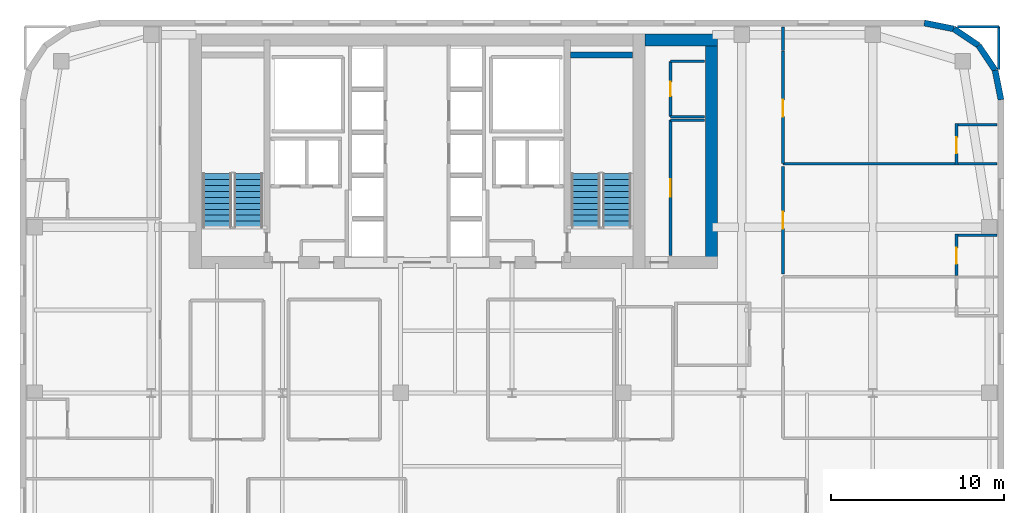
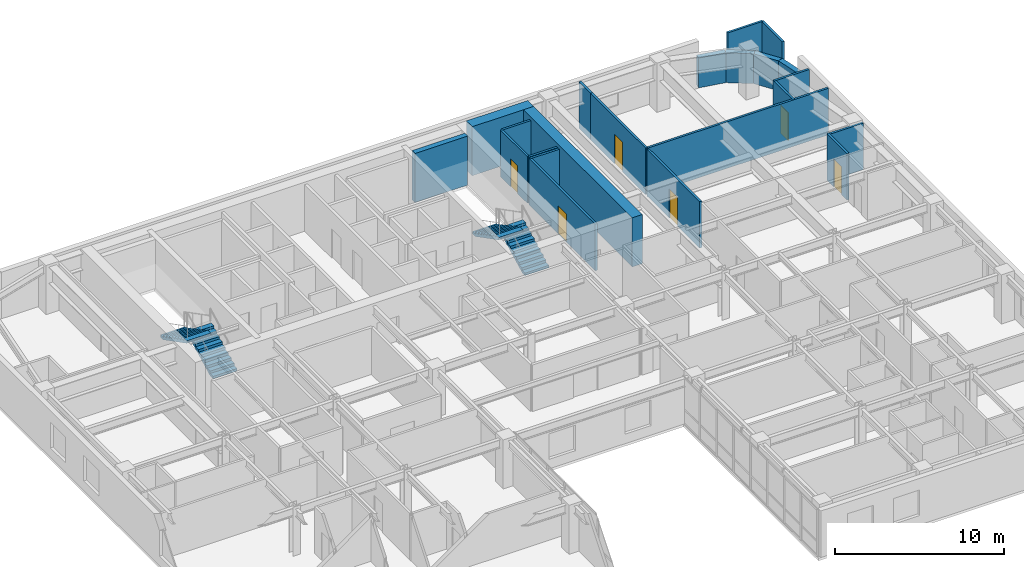
# One storey, part 15 of 16: 22 walls, 6 doors, 4 stair flights, 6 openings, 2 elements without a shape of their own.
"""IFC4 building model written with IfcOpenShell, lengths in metres."""

from ifc_helpers import new_model, si_unit, direction, frame, frame_2d, origin, place, context, subcontext, project, spatial, polyline, rectangle, outline, extrude, source, transform, mapped, material, layer, layer_set, type_object, type_shapes, element, fill, aggregate, save


model = new_model("IFC4")

# Units and contexts
model_context = context("Model", 3, precision=1e-05, world=origin(), true_north=direction((0.0, 1.0)))
body_context = subcontext(model_context, "Body", "Model", "MODEL_VIEW")
ifc_project = project(units=[si_unit("LENGTHUNIT", "METRE"), si_unit("AREAUNIT", "SQUARE_METRE"), si_unit("VOLUMEUNIT", "CUBIC_METRE"), si_unit("PLANEANGLEUNIT", "RADIAN"), si_unit("MASSUNIT", "GRAM", prefix="KILO")], contexts=[model_context])

# Site, building, storey
site_placement = place(None, origin())
site = spatial("IfcSite", under=ifc_project, at=site_placement, CompositionType="ELEMENT")
building_placement = place(site_placement, origin())
building = spatial("IfcBuilding", under=site, at=building_placement, Name="Tolvann Quenvar Hotel", CompositionType="ELEMENT")
storey_placement = place(building_placement, frame((0.0, 0.0, 115.10009765625)))
storey = spatial("IfcBuildingStorey", under=building, at=storey_placement, Name="L29", CompositionType="ELEMENT", Elevation=115.10009765625)

# Walls
ifc_material_1 = material(Name="Concrete S65 (65 MPa)", Category="concrete")
ifc_layer_1 = layer(ifc_material_1, 0.699951171875)
ifc_layer_set_1 = layer_set([ifc_layer_1], Name="Concrete S65 (65 MPa)")
wall_type_1 = type_object("IfcWallType", Name="WALL_CORE_700", PredefinedType="SHEAR", material=ifc_layer_set_1)
wall_1_placement = place(storey_placement, frame((36.199951171875, 44.85009765625, 0.0), z_axis=(0.0, 0.0, 1.0), x_axis=(1.0, 0.0, 0.0)))
element("IfcWall", 1, at=wall_1_placement, inside=storey, type_object=wall_type_1, Name="Core East Annex Shear Wall ANN-N (L29)", PredefinedType="SHEAR", context=body_context, shape_type="SweptSolid", body=[
    extrude(rectangle(XDim=4.199951171875, YDim=0.699951171875, at=frame_2d((2.10009765625, 0.0))), origin(), (0.0, 0.0, 1.0), 3.5498046875),
])
wall_2_placement = place(storey_placement, frame((40.050048828125, 31.60009765625, 0.0), z_axis=(0.0, 0.0, 1.0), x_axis=(0.0, 1.0, 0.0)))
element("IfcWall", 2, at=wall_2_placement, inside=storey, type_object=wall_type_1, Name="Core East Annex Shear Wall ANN-E (L29)", PredefinedType="SHEAR", context=body_context, shape_type="SweptSolid", body=[
    extrude(rectangle(XDim=13.599853515625, YDim=0.699951171875, at=frame_2d((6.7998046875, 0.0))), origin(), (0.0, 0.0, 1.0), 3.5498046875),
])
ifc_layer_2 = layer(ifc_material_1, 0.35009765625)
ifc_layer_set_2 = layer_set([ifc_layer_2], Name="Concrete S65 (65 MPa)")
wall_type_2 = type_object("IfcWallType", Name="WALL_CORE_INT_350", PredefinedType="SHEAR", material=ifc_layer_set_2)
wall_3_placement = place(storey_placement, frame((31.8798828125, 43.97509765625, 0.0), z_axis=(0.0, 0.0, 1.0), x_axis=(1.0, 0.0, 0.0)))
element("IfcWall", 3, at=wall_3_placement, inside=storey, type_object=wall_type_2, Name="Core Stair North Closing Shear Wall STC2-N (L29)", PredefinedType="SHEAR", context=body_context, shape_type="SweptSolid", body=[
    extrude(rectangle(XDim=3.60009765625, YDim=0.35009765625, at=frame_2d((1.800048828125, 0.0))), origin(), (0.0, 0.0, 1.0), 3.5498046875),
])
ifc_material_2 = material(Name="Kiln-fired red and buff architectural clay brickwork and terracotta masonry", Category="masonry")
ifc_layer_3 = layer(ifc_material_2, 0.35009765625)
ifc_layer_set_3 = layer_set([ifc_layer_3], Name="Kiln-fired red and buff architectural clay brickwork and terracotta masonry")
wall_type_3 = type_object("IfcWallType", Name="WALL_EXT_BRICK_350", PredefinedType="SOLIDWALL", material=ifc_layer_set_3)
wall_4_placement = place(storey_placement, frame((56.824951171875, 41.3828125, 0.0), z_axis=(0.0, 0.0, 1.0), x_axis=(-0.195011420161, 0.980800971659, 0.0)))
element("IfcWall", 4, at=wall_4_placement, inside=storey, type_object=wall_type_3, Name="Exterior Chicago Brick Wall L29-E14", PredefinedType="SOLIDWALL", context=body_context, shape_type="SweptSolid", body=[
    extrude(rectangle(XDim=1.74267578125, YDim=0.35009765625, at=frame_2d((0.871337890625, 0.0))), origin(), (0.0, 0.0, 1.0), 2.159912109375),
])
for number, where, z_axis, x_axis, name in (
    (5, (56.485107421875, 43.092041015625, 0.0), (0.0, 0.0, 1.0), (-0.55554893791, 0.831483840845, 0.0), "Exterior Chicago Brick Wall L29-E15"),
    (6, (55.526611328125, 44.526611328125, 0.0), (0.0, 0.0, 1.0), (-0.831483840845, 0.55554893791, 0.0), "Exterior Chicago Brick Wall L29-E16"),
):
    element("IfcWall", number, at=place(storey_placement, frame(where, z_axis=z_axis, x_axis=x_axis)), inside=storey, type_object=wall_type_3, Name=name, PredefinedType="SOLIDWALL", context=body_context, shape_type="SweptSolid", body=[
        extrude(rectangle(XDim=1.725341796875, YDim=0.35009765625, at=frame_2d((0.86279296875, 0.0))), origin(), (0.0, 0.0, 1.0), 2.159912109375),
    ])
wall_5_placement = place(storey_placement, frame((54.092041015625, 45.485107421875, 0.0), z_axis=(0.0, 0.0, 1.0), x_axis=(-0.980800971659, 0.195011420161, 0.0)))
element("IfcWall", 7, at=wall_5_placement, inside=storey, type_object=wall_type_3, Name="Exterior Chicago Brick Wall L29-E17", PredefinedType="SOLIDWALL", context=body_context, shape_type="SweptSolid", body=[
    extrude(rectangle(XDim=1.74267578125, YDim=0.35009765625, at=frame_2d((0.871337890625, 0.0))), origin(), (0.0, 0.0, 1.0), 2.159912109375),
])

# Wall, opening, door
ifc_material_3 = material(Name="Acoustic twin-stud fire-rated gypsum plasterboard partition")
ifc_layer_4 = layer(ifc_material_3, 0.14990234375)
ifc_layer_set_4 = layer_set([ifc_layer_4], Name="Acoustic twin-stud fire-rated gypsum plasterboard partition")
wall_type_4 = type_object("IfcWallType", Name="WALL_PART_SUITE_150", PredefinedType="PARTITIONING", material=ifc_layer_set_4)
wall_6_placement = place(storey_placement, frame((54.25, 31.2099609375, 0.0), z_axis=(0.0, 0.0, 1.0), x_axis=(0.0, 1.0, 0.0)))
wall_6 = element("IfcWall", 8, at=wall_6_placement, inside=storey, type_object=wall_type_4, Name="Interior Partition PT-SPC-L29-ENS-NE02-ENT", PredefinedType="PARTITIONING", context=body_context, shape_type="SweptSolid", body=[
    extrude(rectangle(XDim=2.39013671875, YDim=0.14990234375, at=frame_2d((1.195068359375, 0.0))), origin(), (0.0, 0.0, 1.0), 3.369873046875),
])
opening_1_placement = place(wall_6_placement, frame((0.6650390625, 0.0, 0.0)))
opening_1 = element("IfcOpeningElement", 9, at=opening_1_placement, cuts=wall_6, Name="Opening WD-01", PredefinedType="OPENING", context=body_context, shape_type="SweptSolid", body=[
    extrude(rectangle(XDim=0.919921875, YDim=2.010009765625, at=frame_2d((0.4599609375, 1.0048828125))), frame((0.0, 0.0849609375, 0.0), z_axis=(0.0, -1.0, 0.0), x_axis=(1.0, 0.0, 0.0)), (0.0, 0.0, 1.0), 0.169921875),
])
ifc_material_4 = material(Name="Solid-core American oak acoustic fire door leaf in steel frame", Category="steel")
door_type_1 = type_object("IfcDoorType", Name="DOOR_WC_920", OperationType="NOTDEFINED", PredefinedType="DOOR", material=ifc_material_4)
shared_shape_1 = source(origin(), body_context, "Body", "SweptSolid", [
    extrude(rectangle(XDim=0.919921875, YDim=2.010009765625, at=frame_2d((0.4599609375, 1.0048828125))), frame((0.0, 0.02490234375, 0.0), z_axis=(0.0, -1.0, 0.0), x_axis=(1.0, 0.0, 0.0)), (0.0, 0.0, 1.0), 0.050048828125),
])
type_shapes(door_type_1, [shared_shape_1])
door_1_placement = place(opening_1_placement, origin())
door_1 = element("IfcDoor", 10, at=door_1_placement, inside=storey, type_object=door_type_1, Name="Interior Door DOOR-SPC-L29-ENS-NE02", OperationType="SINGLE_SWING_LEFT", OverallHeight=2.010009765625, OverallWidth=0.919921875, PredefinedType="DOOR", context=body_context, shape_type="MappedRepresentation", body=[
    mapped(shared_shape_1, transform((0.0, 0.0, 0.0), x_axis=(1.0, 0.0, 0.0), y_axis=(0.0, 1.0, 0.0), z_axis=(0.0, 0.0, 1.0), scale=1.0)),
])
fill(opening_1, door_1)

# Wall
wall_7_placement = place(storey_placement, frame((54.179931640625, 33.530029296875, 0.0), z_axis=(0.0, 0.0, 1.0), x_axis=(1.0, 0.0, 0.0)))
element("IfcWall", 11, at=wall_7_placement, inside=storey, type_object=wall_type_4, Name="Interior Partition PT-SPC-L29-ENS-NE02-N", PredefinedType="PARTITIONING", context=body_context, shape_type="SweptSolid", body=[
    extrude(rectangle(XDim=2.4150390625, YDim=0.14990234375, at=frame_2d((1.20751953125, 0.0))), origin(), (0.0, 0.0, 1.0), 3.369873046875),
])

# Wall, opening, door
wall_8_placement = place(storey_placement, frame((54.25, 37.610107421875, 0.0), z_axis=(0.0, 0.0, 1.0), x_axis=(0.0, 1.0, 0.0)))
wall_8 = element("IfcWall", 12, at=wall_8_placement, inside=storey, type_object=wall_type_4, Name="Interior Partition PT-SPC-L29-ENS-NE03-ENT", PredefinedType="PARTITIONING", context=body_context, shape_type="SweptSolid", body=[
    extrude(rectangle(XDim=2.389892578125, YDim=0.14990234375, at=frame_2d((1.19482421875, 0.0))), origin(), (0.0, 0.0, 1.0), 3.369873046875),
])
opening_2_placement = place(wall_8_placement, frame((0.6650390625, 0.0, 0.0)))
opening_2 = element("IfcOpeningElement", 13, at=opening_2_placement, cuts=wall_8, Name="Opening WD-01", PredefinedType="OPENING", context=body_context, shape_type="SweptSolid", body=[
    extrude(rectangle(XDim=0.919921875, YDim=2.010009765625, at=frame_2d((0.4599609375, 1.0048828125))), frame((0.0, 0.0849609375, 0.0), z_axis=(0.0, -1.0, 0.0), x_axis=(1.0, 0.0, 0.0)), (0.0, 0.0, 1.0), 0.169921875),
])
door_2_placement = place(opening_2_placement, origin())
door_2 = element("IfcDoor", 14, at=door_2_placement, inside=storey, type_object=door_type_1, Name="Interior Door DOOR-SPC-L29-ENS-NE03", OperationType="SINGLE_SWING_RIGHT", OverallHeight=2.010009765625, OverallWidth=0.919921875, PredefinedType="DOOR", context=body_context, shape_type="MappedRepresentation", body=[
    mapped(shared_shape_1, transform((0.0, 0.0, 0.0), x_axis=(1.0, 0.0, 0.0), y_axis=(0.0, 1.0, 0.0), z_axis=(0.0, 0.0, 1.0), scale=1.0)),
])
fill(opening_2, door_2)

# Walls
wall_9_placement = place(storey_placement, frame((44.199951171875, 37.679931640625, 0.0), z_axis=(0.0, 0.0, 1.0), x_axis=(1.0, 0.0, 0.0)))
element("IfcWall", 15, at=wall_9_placement, inside=storey, type_object=wall_type_4, Name="Interior Partition PT-SPC-L29-ENS-NE03-S", PredefinedType="PARTITIONING", context=body_context, shape_type="SweptSolid", body=[
    extrude(rectangle(XDim=12.39501953125, YDim=0.14990234375, at=frame_2d((6.197509765625, 0.0))), origin(), (0.0, 0.0, 1.0), 3.369873046875),
])
wall_10_placement = place(storey_placement, frame((54.179931640625, 39.929931640625, 0.0), z_axis=(0.0, 0.0, 1.0), x_axis=(1.0, 0.0, 0.0)))
element("IfcWall", 16, at=wall_10_placement, inside=storey, type_object=wall_type_4, Name="Interior Partition PT-SPC-L29-ENS-NE03-N", PredefinedType="PARTITIONING", context=body_context, shape_type="SweptSolid", body=[
    extrude(rectangle(XDim=2.4150390625, YDim=0.14990234375, at=frame_2d((1.20751953125, 0.0))), origin(), (0.0, 0.0, 1.0), 3.369873046875),
])
wall_11_placement = place(storey_placement, frame((37.679931640625, 40.199951171875, 0.0), z_axis=(0.0, 0.0, 1.0), x_axis=(1.0, 0.0, 0.0)))
element("IfcWall", 17, at=wall_11_placement, inside=storey, type_object=wall_type_4, Name="Interior Partition PT-SPC-L29-RECPL-1-N", PredefinedType="PARTITIONING", context=body_context, shape_type="SweptSolid", body=[
    extrude(rectangle(XDim=1.965087890625, YDim=0.14990234375, at=frame_2d((0.982421875, 0.0))), origin(), (0.0, 0.0, 1.0), 3.369873046875),
])

# Wall, opening, door
wall_12_placement = place(storey_placement, frame((37.679931640625, 32.35498046875, 0.0), z_axis=(0.0, 0.0, 1.0), x_axis=(0.0, 1.0, 0.0)))
wall_12 = element("IfcWall", 18, at=wall_12_placement, inside=storey, type_object=wall_type_4, Name="Interior Partition PT-SPC-L29-RECPL-1-W", PredefinedType="PARTITIONING", context=body_context, shape_type="SweptSolid", body=[
    extrude(rectangle(XDim=7.844970703125, YDim=0.14990234375, at=frame_2d((3.92236328125, 0.0))), origin(), (0.0, 0.0, 1.0), 3.369873046875),
])
opening_3_placement = place(wall_12_placement, frame((3.41259765625, 0.0, 0.0)))
opening_3 = element("IfcOpeningElement", 19, at=opening_3_placement, cuts=wall_12, Name="Opening HD-01", PredefinedType="OPENING", context=body_context, shape_type="SweptSolid", body=[
    extrude(rectangle(XDim=1.02001953125, YDim=2.030029296875, at=frame_2d((0.510009765625, 1.01513671875))), frame((0.0, 0.0849609375, 0.0), z_axis=(0.0, -1.0, 0.0), x_axis=(1.0, 0.0, 0.0)), (0.0, 0.0, 1.0), 0.169921875),
])
ifc_material_5 = material(Name="Pressed galvanised steel fire-rated door set", Category="steel")
door_type_2 = type_object("IfcDoorType", Name="DOOR_BOH_1020", OperationType="NOTDEFINED", PredefinedType="DOOR", material=ifc_material_5)
shared_shape_2 = source(origin(), body_context, "Body", "SweptSolid", [
    extrude(rectangle(XDim=1.02001953125, YDim=2.030029296875, at=frame_2d((0.510009765625, 1.01513671875))), frame((0.0, 0.02490234375, 0.0), z_axis=(0.0, -1.0, 0.0), x_axis=(1.0, 0.0, 0.0)), (0.0, 0.0, 1.0), 0.050048828125),
])
type_shapes(door_type_2, [shared_shape_2])
door_3_placement = place(opening_3_placement, origin())
door_3 = element("IfcDoor", 20, at=door_3_placement, inside=storey, type_object=door_type_2, Name="Interior Door DOOR-SPC-L29-RECPL-1", OperationType="SINGLE_SWING_LEFT", OverallHeight=2.030029296875, OverallWidth=1.02001953125, PredefinedType="DOOR", context=body_context, shape_type="MappedRepresentation", body=[
    mapped(shared_shape_2, transform((0.0, 0.0, 0.0), x_axis=(1.0, 0.0, 0.0), y_axis=(0.0, 1.0, 0.0), z_axis=(0.0, 0.0, 1.0), scale=1.0)),
])
fill(opening_3, door_3)

# Walls
for number, where, z_axis, x_axis, name in (
    (21, (37.679931640625, 40.39990234375, 0.0), (0.0, 0.0, 1.0), (1.0, 0.0, 0.0), "Interior Partition PT-SPC-L29-CSE-1-S"),
    (22, (37.679931640625, 43.60009765625, 0.0), (0.0, 0.0, 1.0), (1.0, 0.0, 0.0), "Interior Partition PT-SPC-L29-CSE-1-N"),
):
    element("IfcWall", number, at=place(storey_placement, frame(where, z_axis=z_axis, x_axis=x_axis)), inside=storey, type_object=wall_type_4, Name=name, PredefinedType="PARTITIONING", context=body_context, shape_type="SweptSolid", body=[
        extrude(rectangle(XDim=1.965087890625, YDim=0.14990234375, at=frame_2d((0.982421875, 0.0))), origin(), (0.0, 0.0, 1.0), 3.369873046875),
    ])

# Wall, opening, door
wall_13_placement = place(storey_placement, frame((37.679931640625, 40.39990234375, 0.0), z_axis=(0.0, 0.0, 1.0), x_axis=(0.0, 1.0, 0.0)))
wall_13 = element("IfcWall", 23, at=wall_13_placement, inside=storey, type_object=wall_type_4, Name="Interior Partition PT-SPC-L29-CSE-1-W", PredefinedType="PARTITIONING", context=body_context, shape_type="SweptSolid", body=[
    extrude(rectangle(XDim=3.2001953125, YDim=0.14990234375, at=frame_2d((1.60009765625, 0.0))), origin(), (0.0, 0.0, 1.0), 3.369873046875),
])
opening_4_placement = place(wall_13_placement, frame((1.18994140625, 0.0, 0.0)))
opening_4 = element("IfcOpeningElement", 24, at=opening_4_placement, cuts=wall_13, Name="Opening HD-02", PredefinedType="OPENING", context=body_context, shape_type="SweptSolid", body=[
    extrude(rectangle(XDim=0.820068359375, YDim=2.010009765625, at=frame_2d((0.41015625, 1.0048828125))), frame((0.0, 0.0849609375, 0.0), z_axis=(0.0, -1.0, 0.0), x_axis=(1.0, 0.0, 0.0)), (0.0, 0.0, 1.0), 0.169921875),
])
door_type_3 = type_object("IfcDoorType", Name="DOOR_STORE_820", OperationType="NOTDEFINED", PredefinedType="DOOR", material=ifc_material_5)
shared_shape_3 = source(origin(), body_context, "Body", "SweptSolid", [
    extrude(rectangle(XDim=0.820068359375, YDim=2.010009765625, at=frame_2d((0.41015625, 1.0048828125))), frame((0.0, 0.02490234375, 0.0), z_axis=(0.0, -1.0, 0.0), x_axis=(1.0, 0.0, 0.0)), (0.0, 0.0, 1.0), 0.050048828125),
])
type_shapes(door_type_3, [shared_shape_3])
door_4_placement = place(opening_4_placement, origin())
door_4 = element("IfcDoor", 25, at=door_4_placement, inside=storey, type_object=door_type_3, Name="Interior Door DOOR-SPC-L29-CSE-1", OperationType="SINGLE_SWING_RIGHT", OverallHeight=2.010009765625, OverallWidth=0.820068359375, PredefinedType="DOOR", context=body_context, shape_type="MappedRepresentation", body=[
    mapped(shared_shape_3, transform((0.0, 0.0, 0.0), x_axis=(1.0, 0.0, 0.0), y_axis=(0.0, 1.0, 0.0), z_axis=(0.0, 0.0, 1.0), scale=1.0)),
])
fill(opening_4, door_4)

wall_14_placement = place(storey_placement, frame((44.199951171875, 31.280029296875, 0.0), z_axis=(0.0, 0.0, 1.0), x_axis=(0.0, 1.0, 0.0)))
wall_14 = element("IfcWall", 26, at=wall_14_placement, inside=storey, type_object=wall_type_4, Name="Interior Partition PT-SPC-L29-RM-NE02-ENT", PredefinedType="PARTITIONING", context=body_context, shape_type="SweptSolid", body=[
    extrude(rectangle(XDim=6.239990234375, YDim=0.14990234375, at=frame_2d((3.1201171875, 0.0))), origin(), (0.0, 0.0, 1.0), 3.369873046875),
])
opening_5_placement = place(wall_14_placement, frame((2.6298828125, 0.0, 0.0)))
opening_5 = element("IfcOpeningElement", 27, at=opening_5_placement, cuts=wall_14, Name="Opening SD-01", PredefinedType="OPENING", context=body_context, shape_type="SweptSolid", body=[
    extrude(rectangle(XDim=0.97998046875, YDim=2.1201171875, at=frame_2d((0.489990234375, 1.06005859375))), frame((0.0, 0.0849609375, 0.0), z_axis=(0.0, -1.0, 0.0), x_axis=(1.0, 0.0, 0.0)), (0.0, 0.0, 1.0), 0.169921875),
])
door_type_4 = type_object("IfcDoorType", Name="DOOR_SUITE_980", OperationType="NOTDEFINED", PredefinedType="DOOR", material=ifc_material_4)
shared_shape_4 = source(origin(), body_context, "Body", "SweptSolid", [
    extrude(rectangle(XDim=0.97998046875, YDim=2.1201171875, at=frame_2d((0.489990234375, 1.06005859375))), frame((0.0, 0.02490234375, 0.0), z_axis=(0.0, -1.0, 0.0), x_axis=(1.0, 0.0, 0.0)), (0.0, 0.0, 1.0), 0.050048828125),
])
type_shapes(door_type_4, [shared_shape_4])
door_5_placement = place(opening_5_placement, origin())
door_5 = element("IfcDoor", 28, at=door_5_placement, inside=storey, type_object=door_type_4, Name="Interior Door DOOR-SPC-L29-RM-NE02", OperationType="SINGLE_SWING_LEFT", OverallHeight=2.1201171875, OverallWidth=0.97998046875, PredefinedType="DOOR", context=body_context, shape_type="MappedRepresentation", body=[
    mapped(shared_shape_4, transform((0.0, 0.0, 0.0), x_axis=(1.0, 0.0, 0.0), y_axis=(0.0, 1.0, 0.0), z_axis=(0.0, 0.0, 1.0), scale=1.0)),
])
fill(opening_5, door_5)

wall_15_placement = place(storey_placement, frame((44.199951171875, 37.679931640625, 0.0), z_axis=(0.0, 0.0, 1.0), x_axis=(0.0, 1.0, 0.0)))
wall_15 = element("IfcWall", 29, at=wall_15_placement, inside=storey, type_object=wall_type_4, Name="Interior Partition PT-SPC-L29-RM-NE03-ENT", PredefinedType="PARTITIONING", context=body_context, shape_type="SweptSolid", body=[
    extrude(rectangle(XDim=6.530029296875, YDim=0.14990234375, at=frame_2d((3.26513671875, 0.0))), origin(), (0.0, 0.0, 1.0), 3.369873046875),
])
opening_6_placement = place(wall_15_placement, frame((2.719970703125, 0.0, 0.0)))
opening_6 = element("IfcOpeningElement", 30, at=opening_6_placement, cuts=wall_15, Name="Opening SD-01", PredefinedType="OPENING", context=body_context, shape_type="SweptSolid", body=[
    extrude(rectangle(XDim=0.97998046875, YDim=2.1201171875, at=frame_2d((0.489990234375, 1.06005859375))), frame((0.0, 0.0849609375, 0.0), z_axis=(0.0, -1.0, 0.0), x_axis=(1.0, 0.0, 0.0)), (0.0, 0.0, 1.0), 0.169921875),
])
door_6_placement = place(opening_6_placement, origin())
door_6 = element("IfcDoor", 31, at=door_6_placement, inside=storey, type_object=door_type_4, Name="Interior Door DOOR-SPC-L29-RM-NE03", OperationType="SINGLE_SWING_RIGHT", OverallHeight=2.1201171875, OverallWidth=0.97998046875, PredefinedType="DOOR", context=body_context, shape_type="MappedRepresentation", body=[
    mapped(shared_shape_4, transform((0.0, 0.0, 0.0), x_axis=(1.0, 0.0, 0.0), y_axis=(0.0, 1.0, 0.0), z_axis=(0.0, 0.0, 1.0), scale=1.0)),
])
fill(opening_6, door_6)

# Walls
wall_16_placement = place(storey_placement, frame((56.699951171875, 43.135009765625, 0.0), z_axis=(0.0, 0.0, 1.0), x_axis=(0.0, 1.0, 0.0)))
element("IfcWall", 32, at=wall_16_placement, inside=storey, type_object=wall_type_4, Name="Interior Partition PT-SPC-L29-RM-NE03-E4", PredefinedType="PARTITIONING", context=body_context, shape_type="SweptSolid", body=[
    extrude(rectangle(XDim=2.485107421875, YDim=0.14990234375, at=frame_2d((1.24267578125, 0.0))), origin(), (0.0, 0.0, 1.0), 3.369873046875),
])
wall_17_placement = place(storey_placement, frame((54.303955078125, 45.6201171875, 0.0), z_axis=(0.0, 0.0, 1.0), x_axis=(1.0, 0.0, 0.0)))
element("IfcWall", 33, at=wall_17_placement, inside=storey, type_object=wall_type_4, Name="Interior Partition PT-SPC-L29-RM-NE03-E5", PredefinedType="PARTITIONING", context=body_context, shape_type="SweptSolid", body=[
    extrude(rectangle(XDim=2.39599609375, YDim=0.14990234375, at=frame_2d((1.197998046875, 0.0))), origin(), (0.0, 0.0, 1.0), 3.369873046875),
])
wall_18_placement = place(storey_placement, frame((44.199951171875, 44.219970703125, 0.0), z_axis=(0.0, 0.0, 1.0), x_axis=(0.0, 1.0, 0.0)))
element("IfcWall", 34, at=wall_18_placement, inside=storey, type_object=wall_type_4, Name="Interior Partition PT-SPC-L29-RM-NE03-E6", PredefinedType="PARTITIONING", context=body_context, shape_type="SweptSolid", body=[
    extrude(rectangle(XDim=1.375, YDim=0.14990234375, at=frame_2d((0.6875, 0.0))), origin(), (0.0, 0.0, 1.0), 3.369873046875),
])

# Stair, stair flights
ifc_material_6 = material(Name="Concrete N40 (40 MPa)", Category="concrete")
stair_type = type_object("IfcStairType", Name="STAIR", PredefinedType="HALF_TURN_STAIR", material=ifc_material_6)
stair_1_placement = place(storey_placement, origin())
stair_1 = element("IfcStair", 35, at=stair_1_placement, inside=storey, type_object=stair_type, Name="L29 ST-C1", PredefinedType="HALF_TURN_STAIR")
stair_flight_type = type_object("IfcStairFlightType", Name="STAIR_FLIGHT", PredefinedType="STRAIGHT", material=ifc_material_6)
stair_flight_1_placement = place(storey_placement, frame((13.22509765625, 34.0, 0.0), z_axis=(0.0, 0.0, 1.0), x_axis=(0.0, 1.0, 0.0)))
stair_flight_1 = element("IfcStairFlight", 36, at=stair_flight_1_placement, type_object=stair_flight_type, Name="ST-C1 flight 1", NumberOfRisers=10, NumberOfTreads=9, PredefinedType="STRAIGHT", RiserHeight=0.1775, TreadLength=0.345, context=body_context, shape_type="SweptSolid", body=[
    extrude(outline(polyline([(0.0, 0.0), (0.0, 0.177490234375), (0.344970703125, 0.177490234375), (0.344970703125, 0.35498046875), (0.68994140625, 0.35498046875), (0.68994140625, 0.532470703125), (1.034912109375, 0.532470703125), (1.034912109375, 0.7099609375), (1.3798828125, 0.7099609375), (1.3798828125, 0.887451171875), (1.72509765625, 0.887451171875), (1.72509765625, 1.06494140625), (2.070068359375, 1.06494140625), (2.070068359375, 1.242431640625), (2.4150390625, 1.242431640625), (2.4150390625, 1.419921875), (2.760009765625, 1.419921875), (2.760009765625, 1.597412109375), (3.10498046875, 1.597412109375), (3.10498046875, 1.77490234375), (3.10498046875, 1.428955078125), (0.32763671875, 0.0), (0.0, 0.0)])), frame((0.0, 0.824951171875, 0.0), z_axis=(0.0, -1.0, 0.0), x_axis=(1.0, 0.0, 0.0)), (0.0, 0.0, 1.0), 1.64990234375),
])
stair_flight_2_placement = place(storey_placement, frame((11.425048828125, 37.10498046875, 1.77490234375), z_axis=(0.0, 0.0, 1.0), x_axis=(0.0, -1.0, 0.0)))
stair_flight_2 = element("IfcStairFlight", 37, at=stair_flight_2_placement, type_object=stair_flight_type, Name="ST-C1 flight 2", NumberOfRisers=10, NumberOfTreads=9, PredefinedType="STRAIGHT", RiserHeight=0.1775, TreadLength=0.345, context=body_context, shape_type="SweptSolid", body=[
    extrude(outline(polyline([(0.0, 0.0), (0.0, 0.177490234375), (0.344970703125, 0.177490234375), (0.344970703125, 0.35498046875), (0.68994140625, 0.35498046875), (0.68994140625, 0.532470703125), (1.034912109375, 0.532470703125), (1.034912109375, 0.7099609375), (1.3798828125, 0.7099609375), (1.3798828125, 0.887451171875), (1.72509765625, 0.887451171875), (1.72509765625, 1.06494140625), (2.070068359375, 1.06494140625), (2.070068359375, 1.242431640625), (2.4150390625, 1.242431640625), (2.4150390625, 1.419921875), (2.760009765625, 1.419921875), (2.760009765625, 1.597412109375), (3.10498046875, 1.597412109375), (3.10498046875, 1.77490234375), (3.10498046875, 1.428955078125), (0.32763671875, 0.0), (0.0, 0.0)])), frame((0.0, 0.824951171875, 0.0), z_axis=(0.0, -1.0, 0.0), x_axis=(1.0, 0.0, 0.0)), (0.0, 0.0, 1.0), 1.64990234375),
])
aggregate(stair_1, [stair_flight_1, stair_flight_2])

stair_2_placement = place(storey_placement, origin())
stair_2 = element("IfcStair", 38, at=stair_2_placement, inside=storey, type_object=stair_type, Name="L29 ST-C2", PredefinedType="HALF_TURN_STAIR")
stair_flight_3_placement = place(storey_placement, frame((34.574951171875, 34.0, 0.0), z_axis=(0.0, 0.0, 1.0), x_axis=(0.0, 1.0, 0.0)))
stair_flight_3 = element("IfcStairFlight", 39, at=stair_flight_3_placement, type_object=stair_flight_type, Name="ST-C2 flight 1", NumberOfRisers=10, NumberOfTreads=9, PredefinedType="STRAIGHT", RiserHeight=0.1775, TreadLength=0.345, context=body_context, shape_type="SweptSolid", body=[
    extrude(outline(polyline([(0.0, 0.0), (0.0, 0.177490234375), (0.344970703125, 0.177490234375), (0.344970703125, 0.35498046875), (0.68994140625, 0.35498046875), (0.68994140625, 0.532470703125), (1.034912109375, 0.532470703125), (1.034912109375, 0.7099609375), (1.3798828125, 0.7099609375), (1.3798828125, 0.887451171875), (1.72509765625, 0.887451171875), (1.72509765625, 1.06494140625), (2.070068359375, 1.06494140625), (2.070068359375, 1.242431640625), (2.4150390625, 1.242431640625), (2.4150390625, 1.419921875), (2.760009765625, 1.419921875), (2.760009765625, 1.597412109375), (3.10498046875, 1.597412109375), (3.10498046875, 1.77490234375), (3.10498046875, 1.428955078125), (0.32763671875, 0.0), (0.0, 0.0)])), frame((0.0, 0.824951171875, 0.0), z_axis=(0.0, -1.0, 0.0), x_axis=(1.0, 0.0, 0.0)), (0.0, 0.0, 1.0), 1.64990234375),
])
stair_flight_4_placement = place(storey_placement, frame((32.77490234375, 37.10498046875, 1.77490234375), z_axis=(0.0, 0.0, 1.0), x_axis=(0.0, -1.0, 0.0)))
stair_flight_4 = element("IfcStairFlight", 40, at=stair_flight_4_placement, type_object=stair_flight_type, Name="ST-C2 flight 2", NumberOfRisers=10, NumberOfTreads=9, PredefinedType="STRAIGHT", RiserHeight=0.1775, TreadLength=0.345, context=body_context, shape_type="SweptSolid", body=[
    extrude(outline(polyline([(0.0, 0.0), (0.0, 0.177490234375), (0.344970703125, 0.177490234375), (0.344970703125, 0.35498046875), (0.68994140625, 0.35498046875), (0.68994140625, 0.532470703125), (1.034912109375, 0.532470703125), (1.034912109375, 0.7099609375), (1.3798828125, 0.7099609375), (1.3798828125, 0.887451171875), (1.72509765625, 0.887451171875), (1.72509765625, 1.06494140625), (2.070068359375, 1.06494140625), (2.070068359375, 1.242431640625), (2.4150390625, 1.242431640625), (2.4150390625, 1.419921875), (2.760009765625, 1.419921875), (2.760009765625, 1.597412109375), (3.10498046875, 1.597412109375), (3.10498046875, 1.77490234375), (3.10498046875, 1.428955078125), (0.32763671875, 0.0), (0.0, 0.0)])), frame((0.0, 0.824951171875, 0.0), z_axis=(0.0, -1.0, 0.0), x_axis=(1.0, 0.0, 0.0)), (0.0, 0.0, 1.0), 1.64990234375),
])
aggregate(stair_2, [stair_flight_3, stair_flight_4])

save(model, "model.ifc")
